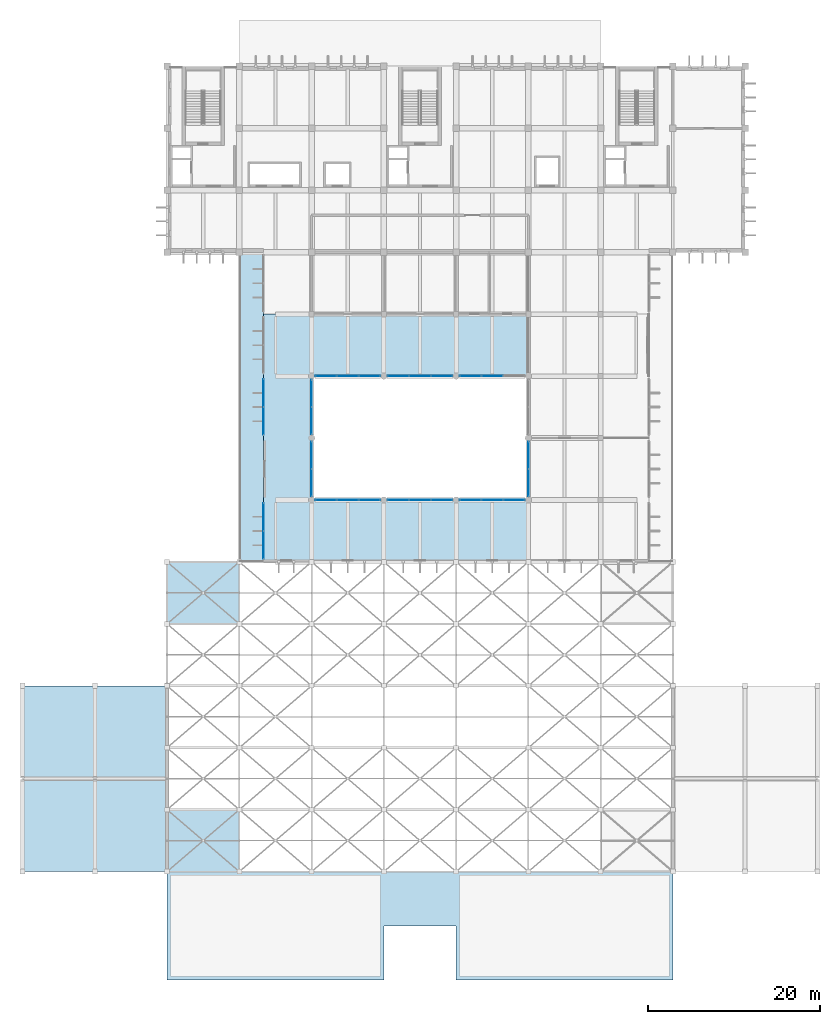
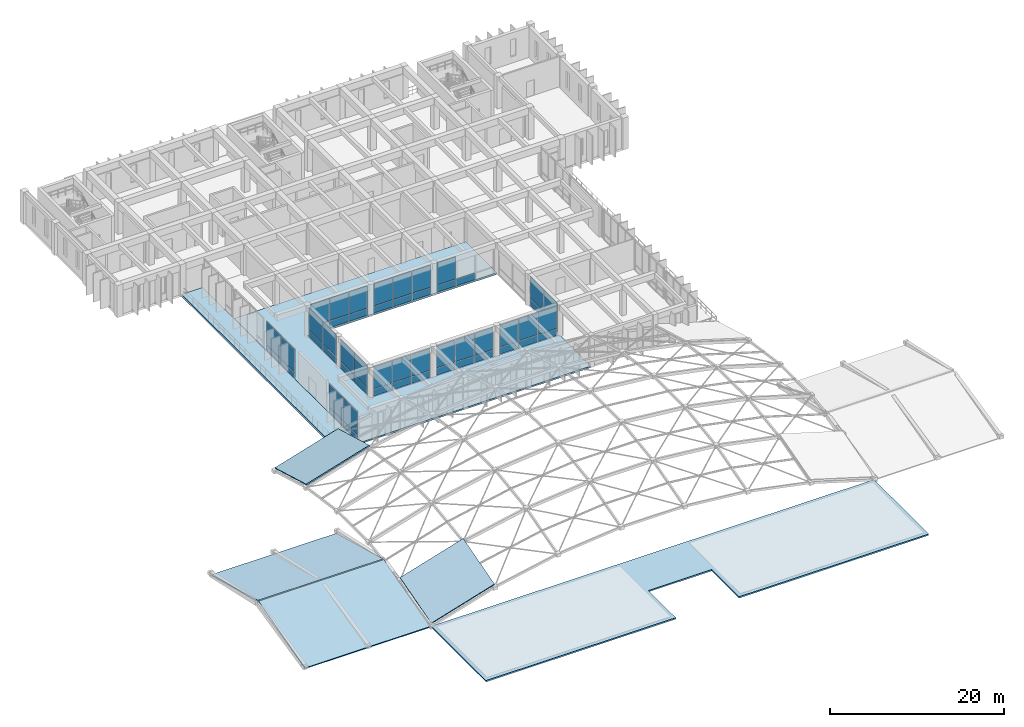
# One storey, part 13 of 23: 53 plates, 7 slabs, 11 elements without a shape of their own.
"""IFC4 building model written with IfcOpenShell, lengths in metres."""

from ifc_helpers import new_model, si_unit, direction, frame, origin, origin_2d, place, context, subcontext, project, spatial, polyline, rectangle, outline, extrude, material, layer, layer_set, type_object, element, aggregate, save


model = new_model("IFC4")

# Units and contexts
model_context = context("Model", 3, precision=1e-05, world=origin(), true_north=direction((0.0, 1.0)))
body_context = subcontext(model_context, "Body", "Model", "MODEL_VIEW")
ifc_project = project(units=[si_unit("LENGTHUNIT", "METRE"), si_unit("AREAUNIT", "SQUARE_METRE"), si_unit("VOLUMEUNIT", "CUBIC_METRE"), si_unit("PLANEANGLEUNIT", "RADIAN"), si_unit("MASSUNIT", "GRAM", prefix="KILO")], contexts=[model_context])

# Site, building, storey
site_placement = place(None, origin())
site = spatial("IfcSite", under=ifc_project, at=site_placement, CompositionType="ELEMENT")
building_placement = place(site_placement, origin())
building = spatial("IfcBuilding", under=site, at=building_placement, Name="Kenerak Square Central Library", CompositionType="ELEMENT")
storey_placement = place(building_placement, frame((0.0, 0.0, 18.8798828125)))
storey = spatial("IfcBuildingStorey", under=building, at=storey_placement, Name="L04", CompositionType="ELEMENT", Elevation=18.8798828125)

# Curtain wall, plates
ifc_material_1 = material(Name="Intumescent fire-resisting glazing EI 60", Category="glass")
curtain_wall_type_1 = type_object("IfcCurtainWallType", Name="Curtain Wall CW-AT60-76x42 7650x4255", PredefinedType="USERDEFINED", material=ifc_material_1)
curtain_wall_1_placement = place(storey_placement, origin())
curtain_wall_1 = element("IfcCurtainWall", 1, at=curtain_wall_1_placement, inside=storey, type_object=curtain_wall_type_1, Name="Atrium Fire-Rated Glazed Screen CW-AT60-76x42 L04 0177", ObjectType="CURTAIN WALL", PredefinedType="USERDEFINED")
ifc_layer_1 = layer(ifc_material_1, 0.0419921875)
ifc_layer_set_1 = layer_set([ifc_layer_1], Name="Intumescent fire-resisting glazing EI 60")
plate_type_1 = type_object("IfcPlateType", Name="Fire-Rated EI60 Atrium Glazing Panel CP-42", PredefinedType="CURTAIN_PANEL", material=ifc_layer_set_1)
plate_1_placement = place(storey_placement, frame((76.867431640625, 60.0, 0.0703125), z_axis=(0.0, 0.0, 1.0), x_axis=(1.0, 0.0, 0.0)))
plate_1 = element("IfcPlate", 2, at=plate_1_placement, type_object=plate_type_1, Name="CW-AT60-76x42 Panel 1.1", PredefinedType="CURTAIN_PANEL", context=body_context, shape_type="SweptSolid", body=[
    extrude(rectangle(XDim=2.445068359375, YDim=0.0419921875, at=origin_2d()), origin(), (0.0, 0.0, 1.0), 0.945068359375),
])
plate_2_placement = place(storey_placement, frame((76.867431640625, 60.0, 1.0849609375), z_axis=(0.0, 0.0, 1.0), x_axis=(1.0, 0.0, 0.0)))
plate_2 = element("IfcPlate", 3, at=plate_2_placement, type_object=plate_type_1, Name="CW-AT60-76x42 Panel 1.2", PredefinedType="CURTAIN_PANEL", context=body_context, shape_type="SweptSolid", body=[
    extrude(rectangle(XDim=2.445068359375, YDim=0.0419921875, at=origin_2d()), origin(), (0.0, 0.0, 1.0), 3.10009765625),
])
plate_3_placement = place(storey_placement, frame((79.39990234375, 60.0, 0.0703125), z_axis=(0.0, 0.0, 1.0), x_axis=(1.0, 0.0, 0.0)))
plate_3 = element("IfcPlate", 4, at=plate_3_placement, type_object=plate_type_1, Name="CW-AT60-76x42 Panel 2.1", PredefinedType="CURTAIN_PANEL", context=body_context, shape_type="SweptSolid", body=[
    extrude(rectangle(XDim=2.47998046875, YDim=0.0419921875, at=origin_2d()), origin(), (0.0, 0.0, 1.0), 0.945068359375),
])
plate_4_placement = place(storey_placement, frame((79.39990234375, 60.0, 1.0849609375), z_axis=(0.0, 0.0, 1.0), x_axis=(1.0, 0.0, 0.0)))
plate_4 = element("IfcPlate", 5, at=plate_4_placement, type_object=plate_type_1, Name="CW-AT60-76x42 Panel 2.2", PredefinedType="CURTAIN_PANEL", context=body_context, shape_type="SweptSolid", body=[
    extrude(rectangle(XDim=2.47998046875, YDim=0.0419921875, at=origin_2d()), origin(), (0.0, 0.0, 1.0), 3.10009765625),
])
plate_5_placement = place(storey_placement, frame((81.9326171875, 60.0, 0.0703125), z_axis=(0.0, 0.0, 1.0), x_axis=(1.0, 0.0, 0.0)))
plate_5 = element("IfcPlate", 6, at=plate_5_placement, type_object=plate_type_1, Name="CW-AT60-76x42 Panel 3.1", PredefinedType="CURTAIN_PANEL", context=body_context, shape_type="SweptSolid", body=[
    extrude(rectangle(XDim=2.445068359375, YDim=0.0419921875, at=origin_2d()), origin(), (0.0, 0.0, 1.0), 0.945068359375),
])
plate_6_placement = place(storey_placement, frame((81.9326171875, 60.0, 1.0849609375), z_axis=(0.0, 0.0, 1.0), x_axis=(1.0, 0.0, 0.0)))
plate_6 = element("IfcPlate", 7, at=plate_6_placement, type_object=plate_type_1, Name="CW-AT60-76x42 Panel 3.2", PredefinedType="CURTAIN_PANEL", context=body_context, shape_type="SweptSolid", body=[
    extrude(rectangle(XDim=2.445068359375, YDim=0.0419921875, at=origin_2d()), origin(), (0.0, 0.0, 1.0), 3.10009765625),
])
aggregate(curtain_wall_1, [plate_1, plate_2, plate_3, plate_4, plate_5, plate_6])

curtain_wall_2_placement = place(storey_placement, origin())
curtain_wall_2 = element("IfcCurtainWall", 8, at=curtain_wall_2_placement, inside=storey, type_object=curtain_wall_type_1, Name="Atrium Fire-Rated Glazed Screen CW-AT60-76x42 L04 0178", ObjectType="CURTAIN WALL", PredefinedType="USERDEFINED")
plate_7_placement = place(storey_placement, frame((85.267578125, 60.0, 0.0703125), z_axis=(0.0, 0.0, 1.0), x_axis=(1.0, 0.0, 0.0)))
plate_7 = element("IfcPlate", 9, at=plate_7_placement, type_object=plate_type_1, Name="CW-AT60-76x42 Panel 1.1", PredefinedType="CURTAIN_PANEL", context=body_context, shape_type="SweptSolid", body=[
    extrude(rectangle(XDim=2.445068359375, YDim=0.0419921875, at=origin_2d()), origin(), (0.0, 0.0, 1.0), 0.945068359375),
])
plate_8_placement = place(storey_placement, frame((85.267578125, 60.0, 1.0849609375), z_axis=(0.0, 0.0, 1.0), x_axis=(1.0, 0.0, 0.0)))
plate_8 = element("IfcPlate", 10, at=plate_8_placement, type_object=plate_type_1, Name="CW-AT60-76x42 Panel 1.2", PredefinedType="CURTAIN_PANEL", context=body_context, shape_type="SweptSolid", body=[
    extrude(rectangle(XDim=2.445068359375, YDim=0.0419921875, at=origin_2d()), origin(), (0.0, 0.0, 1.0), 3.10009765625),
])
plate_9_placement = place(storey_placement, frame((87.800048828125, 60.0, 0.0703125), z_axis=(0.0, 0.0, 1.0), x_axis=(1.0, 0.0, 0.0)))
plate_9 = element("IfcPlate", 11, at=plate_9_placement, type_object=plate_type_1, Name="CW-AT60-76x42 Panel 2.1", PredefinedType="CURTAIN_PANEL", context=body_context, shape_type="SweptSolid", body=[
    extrude(rectangle(XDim=2.47998046875, YDim=0.0419921875, at=origin_2d()), origin(), (0.0, 0.0, 1.0), 0.945068359375),
])
plate_10_placement = place(storey_placement, frame((87.800048828125, 60.0, 1.0849609375), z_axis=(0.0, 0.0, 1.0), x_axis=(1.0, 0.0, 0.0)))
plate_10 = element("IfcPlate", 12, at=plate_10_placement, type_object=plate_type_1, Name="CW-AT60-76x42 Panel 2.2", PredefinedType="CURTAIN_PANEL", context=body_context, shape_type="SweptSolid", body=[
    extrude(rectangle(XDim=2.47998046875, YDim=0.0419921875, at=origin_2d()), origin(), (0.0, 0.0, 1.0), 3.10009765625),
])
plate_11_placement = place(storey_placement, frame((90.33251953125, 60.0, 0.0703125), z_axis=(0.0, 0.0, 1.0), x_axis=(1.0, 0.0, 0.0)))
plate_11 = element("IfcPlate", 13, at=plate_11_placement, type_object=plate_type_1, Name="CW-AT60-76x42 Panel 3.1", PredefinedType="CURTAIN_PANEL", context=body_context, shape_type="SweptSolid", body=[
    extrude(rectangle(XDim=2.445068359375, YDim=0.0419921875, at=origin_2d()), origin(), (0.0, 0.0, 1.0), 0.945068359375),
])
plate_12_placement = place(storey_placement, frame((90.33251953125, 60.0, 1.0849609375), z_axis=(0.0, 0.0, 1.0), x_axis=(1.0, 0.0, 0.0)))
plate_12 = element("IfcPlate", 14, at=plate_12_placement, type_object=plate_type_1, Name="CW-AT60-76x42 Panel 3.2", PredefinedType="CURTAIN_PANEL", context=body_context, shape_type="SweptSolid", body=[
    extrude(rectangle(XDim=2.445068359375, YDim=0.0419921875, at=origin_2d()), origin(), (0.0, 0.0, 1.0), 3.10009765625),
])
aggregate(curtain_wall_2, [plate_7, plate_8, plate_9, plate_10, plate_11, plate_12])

curtain_wall_3_placement = place(storey_placement, origin())
curtain_wall_3 = element("IfcCurtainWall", 15, at=curtain_wall_3_placement, inside=storey, type_object=curtain_wall_type_1, Name="Atrium Fire-Rated Glazed Screen CW-AT60-76x42 L04 0179", ObjectType="CURTAIN WALL", PredefinedType="USERDEFINED")
plate_13_placement = place(storey_placement, frame((93.66748046875, 60.0, 0.0703125), z_axis=(0.0, 0.0, 1.0), x_axis=(1.0, 0.0, 0.0)))
plate_13 = element("IfcPlate", 16, at=plate_13_placement, type_object=plate_type_1, Name="CW-AT60-76x42 Panel 1.1", PredefinedType="CURTAIN_PANEL", context=body_context, shape_type="SweptSolid", body=[
    extrude(rectangle(XDim=2.445068359375, YDim=0.0419921875, at=origin_2d()), origin(), (0.0, 0.0, 1.0), 0.945068359375),
])
plate_14_placement = place(storey_placement, frame((93.66748046875, 60.0, 1.0849609375), z_axis=(0.0, 0.0, 1.0), x_axis=(1.0, 0.0, 0.0)))
plate_14 = element("IfcPlate", 17, at=plate_14_placement, type_object=plate_type_1, Name="CW-AT60-76x42 Panel 1.2", PredefinedType="CURTAIN_PANEL", context=body_context, shape_type="SweptSolid", body=[
    extrude(rectangle(XDim=2.445068359375, YDim=0.0419921875, at=origin_2d()), origin(), (0.0, 0.0, 1.0), 3.10009765625),
])
plate_15_placement = place(storey_placement, frame((96.199951171875, 60.0, 0.0703125), z_axis=(0.0, 0.0, 1.0), x_axis=(1.0, 0.0, 0.0)))
plate_15 = element("IfcPlate", 18, at=plate_15_placement, type_object=plate_type_1, Name="CW-AT60-76x42 Panel 2.1", PredefinedType="CURTAIN_PANEL", context=body_context, shape_type="SweptSolid", body=[
    extrude(rectangle(XDim=2.47998046875, YDim=0.0419921875, at=origin_2d()), origin(), (0.0, 0.0, 1.0), 0.945068359375),
])
plate_16_placement = place(storey_placement, frame((96.199951171875, 60.0, 1.0849609375), z_axis=(0.0, 0.0, 1.0), x_axis=(1.0, 0.0, 0.0)))
plate_16 = element("IfcPlate", 19, at=plate_16_placement, type_object=plate_type_1, Name="CW-AT60-76x42 Panel 2.2", PredefinedType="CURTAIN_PANEL", context=body_context, shape_type="SweptSolid", body=[
    extrude(rectangle(XDim=2.47998046875, YDim=0.0419921875, at=origin_2d()), origin(), (0.0, 0.0, 1.0), 3.10009765625),
])
plate_17_placement = place(storey_placement, frame((98.732421875, 60.0, 0.0703125), z_axis=(0.0, 0.0, 1.0), x_axis=(1.0, 0.0, 0.0)))
plate_17 = element("IfcPlate", 20, at=plate_17_placement, type_object=plate_type_1, Name="CW-AT60-76x42 Panel 3.1", PredefinedType="CURTAIN_PANEL", context=body_context, shape_type="SweptSolid", body=[
    extrude(rectangle(XDim=2.445068359375, YDim=0.0419921875, at=origin_2d()), origin(), (0.0, 0.0, 1.0), 0.945068359375),
])
plate_18_placement = place(storey_placement, frame((98.732421875, 60.0, 1.0849609375), z_axis=(0.0, 0.0, 1.0), x_axis=(1.0, 0.0, 0.0)))
plate_18 = element("IfcPlate", 21, at=plate_18_placement, type_object=plate_type_1, Name="CW-AT60-76x42 Panel 3.2", PredefinedType="CURTAIN_PANEL", context=body_context, shape_type="SweptSolid", body=[
    extrude(rectangle(XDim=2.445068359375, YDim=0.0419921875, at=origin_2d()), origin(), (0.0, 0.0, 1.0), 3.10009765625),
])
aggregate(curtain_wall_3, [plate_13, plate_14, plate_15, plate_16, plate_17, plate_18])

curtain_wall_type_2 = type_object("IfcCurtainWallType", Name="Curtain Wall CW-AT60-64x42 6450x4255", PredefinedType="USERDEFINED", material=ifc_material_1)
curtain_wall_4_placement = place(storey_placement, origin())
curtain_wall_4 = element("IfcCurtainWall", 22, at=curtain_wall_4_placement, inside=storey, type_object=curtain_wall_type_2, Name="Atrium Fire-Rated Glazed Screen CW-AT60-64x42 L04 0180", ObjectType="CURTAIN WALL", PredefinedType="USERDEFINED")
plate_19_placement = place(storey_placement, frame((100.39990234375, 62.0048828125, 0.0703125), z_axis=(0.0, 0.0, 1.0), x_axis=(0.0, 1.0, 0.0)))
plate_19 = element("IfcPlate", 23, at=plate_19_placement, type_object=plate_type_1, Name="CW-AT60-64x42 Panel 1.1", PredefinedType="CURTAIN_PANEL", context=body_context, shape_type="SweptSolid", body=[
    extrude(rectangle(XDim=3.1201171875, YDim=0.0419921875, at=origin_2d()), origin(), (0.0, 0.0, 1.0), 0.945068359375),
])
plate_20_placement = place(storey_placement, frame((100.39990234375, 62.0048828125, 1.0849609375), z_axis=(0.0, 0.0, 1.0), x_axis=(0.0, 1.0, 0.0)))
plate_20 = element("IfcPlate", 24, at=plate_20_placement, type_object=plate_type_1, Name="CW-AT60-64x42 Panel 1.2", PredefinedType="CURTAIN_PANEL", context=body_context, shape_type="SweptSolid", body=[
    extrude(rectangle(XDim=3.1201171875, YDim=0.0419921875, at=origin_2d()), origin(), (0.0, 0.0, 1.0), 3.10009765625),
])
plate_21_placement = place(storey_placement, frame((100.39990234375, 65.195068359375, 0.0703125), z_axis=(0.0, 0.0, 1.0), x_axis=(0.0, 1.0, 0.0)))
plate_21 = element("IfcPlate", 25, at=plate_21_placement, type_object=plate_type_1, Name="CW-AT60-64x42 Panel 2.1", PredefinedType="CURTAIN_PANEL", context=body_context, shape_type="SweptSolid", body=[
    extrude(rectangle(XDim=3.1201171875, YDim=0.0419921875, at=origin_2d()), origin(), (0.0, 0.0, 1.0), 0.945068359375),
])
plate_22_placement = place(storey_placement, frame((100.39990234375, 65.195068359375, 1.0849609375), z_axis=(0.0, 0.0, 1.0), x_axis=(0.0, 1.0, 0.0)))
plate_22 = element("IfcPlate", 26, at=plate_22_placement, type_object=plate_type_1, Name="CW-AT60-64x42 Panel 2.2", PredefinedType="CURTAIN_PANEL", context=body_context, shape_type="SweptSolid", body=[
    extrude(rectangle(XDim=3.1201171875, YDim=0.0419921875, at=origin_2d()), origin(), (0.0, 0.0, 1.0), 3.10009765625),
])
aggregate(curtain_wall_4, [plate_19, plate_20, plate_21, plate_22])

curtain_wall_5_placement = place(storey_placement, origin())
curtain_wall_5 = element("IfcCurtainWall", 27, at=curtain_wall_5_placement, inside=storey, type_object=curtain_wall_type_1, Name="Atrium Fire-Rated Glazed Screen CW-AT60-76x42 L04 0182", ObjectType="CURTAIN WALL", PredefinedType="USERDEFINED")
plate_23_placement = place(storey_placement, frame((96.199951171875, 74.39990234375, 0.0703125), z_axis=(0.0, 0.0, 1.0), x_axis=(-1.0, 0.0, 0.0)))
plate_23 = element("IfcPlate", 28, at=plate_23_placement, type_object=plate_type_1, Name="CW-AT60-76x42 Panel 2.1", PredefinedType="CURTAIN_PANEL", context=body_context, shape_type="SweptSolid", body=[
    extrude(rectangle(XDim=2.47998046875, YDim=0.0419921875, at=origin_2d()), origin(), (0.0, 0.0, 1.0), 0.945068359375),
])
plate_24_placement = place(storey_placement, frame((93.66748046875, 74.39990234375, 0.0703125), z_axis=(0.0, 0.0, 1.0), x_axis=(-1.0, 0.0, 0.0)))
plate_24 = element("IfcPlate", 29, at=plate_24_placement, type_object=plate_type_1, Name="CW-AT60-76x42 Panel 3.1", PredefinedType="CURTAIN_PANEL", context=body_context, shape_type="SweptSolid", body=[
    extrude(rectangle(XDim=2.445068359375, YDim=0.0419921875, at=origin_2d()), origin(), (0.0, 0.0, 1.0), 0.945068359375),
])
plate_25_placement = place(storey_placement, frame((93.66748046875, 74.39990234375, 1.0849609375), z_axis=(0.0, 0.0, 1.0), x_axis=(-1.0, 0.0, 0.0)))
plate_25 = element("IfcPlate", 30, at=plate_25_placement, type_object=plate_type_1, Name="CW-AT60-76x42 Panel 3.2", PredefinedType="CURTAIN_PANEL", context=body_context, shape_type="SweptSolid", body=[
    extrude(rectangle(XDim=2.445068359375, YDim=0.0419921875, at=origin_2d()), origin(), (0.0, 0.0, 1.0), 3.10009765625),
])
aggregate(curtain_wall_5, [plate_23, plate_24, plate_25])

curtain_wall_6_placement = place(storey_placement, origin())
curtain_wall_6 = element("IfcCurtainWall", 31, at=curtain_wall_6_placement, inside=storey, type_object=curtain_wall_type_1, Name="Atrium Fire-Rated Glazed Screen CW-AT60-76x42 L04 0183", ObjectType="CURTAIN WALL", PredefinedType="USERDEFINED")
plate_26_placement = place(storey_placement, frame((90.33251953125, 74.39990234375, 0.0703125), z_axis=(0.0, 0.0, 1.0), x_axis=(-1.0, 0.0, 0.0)))
plate_26 = element("IfcPlate", 32, at=plate_26_placement, type_object=plate_type_1, Name="CW-AT60-76x42 Panel 1.1", PredefinedType="CURTAIN_PANEL", context=body_context, shape_type="SweptSolid", body=[
    extrude(rectangle(XDim=2.445068359375, YDim=0.0419921875, at=origin_2d()), origin(), (0.0, 0.0, 1.0), 0.945068359375),
])
plate_27_placement = place(storey_placement, frame((90.33251953125, 74.39990234375, 1.0849609375), z_axis=(0.0, 0.0, 1.0), x_axis=(-1.0, 0.0, 0.0)))
plate_27 = element("IfcPlate", 33, at=plate_27_placement, type_object=plate_type_1, Name="CW-AT60-76x42 Panel 1.2", PredefinedType="CURTAIN_PANEL", context=body_context, shape_type="SweptSolid", body=[
    extrude(rectangle(XDim=2.445068359375, YDim=0.0419921875, at=origin_2d()), origin(), (0.0, 0.0, 1.0), 3.10009765625),
])
plate_28_placement = place(storey_placement, frame((87.800048828125, 74.39990234375, 0.0703125), z_axis=(0.0, 0.0, 1.0), x_axis=(-1.0, 0.0, 0.0)))
plate_28 = element("IfcPlate", 34, at=plate_28_placement, type_object=plate_type_1, Name="CW-AT60-76x42 Panel 2.1", PredefinedType="CURTAIN_PANEL", context=body_context, shape_type="SweptSolid", body=[
    extrude(rectangle(XDim=2.47998046875, YDim=0.0419921875, at=origin_2d()), origin(), (0.0, 0.0, 1.0), 0.945068359375),
])
plate_29_placement = place(storey_placement, frame((87.800048828125, 74.39990234375, 1.0849609375), z_axis=(0.0, 0.0, 1.0), x_axis=(-1.0, 0.0, 0.0)))
plate_29 = element("IfcPlate", 35, at=plate_29_placement, type_object=plate_type_1, Name="CW-AT60-76x42 Panel 2.2", PredefinedType="CURTAIN_PANEL", context=body_context, shape_type="SweptSolid", body=[
    extrude(rectangle(XDim=2.47998046875, YDim=0.0419921875, at=origin_2d()), origin(), (0.0, 0.0, 1.0), 3.10009765625),
])
plate_30_placement = place(storey_placement, frame((85.267578125, 74.39990234375, 0.0703125), z_axis=(0.0, 0.0, 1.0), x_axis=(-1.0, 0.0, 0.0)))
plate_30 = element("IfcPlate", 36, at=plate_30_placement, type_object=plate_type_1, Name="CW-AT60-76x42 Panel 3.1", PredefinedType="CURTAIN_PANEL", context=body_context, shape_type="SweptSolid", body=[
    extrude(rectangle(XDim=2.445068359375, YDim=0.0419921875, at=origin_2d()), origin(), (0.0, 0.0, 1.0), 0.945068359375),
])
plate_31_placement = place(storey_placement, frame((85.267578125, 74.39990234375, 1.0849609375), z_axis=(0.0, 0.0, 1.0), x_axis=(-1.0, 0.0, 0.0)))
plate_31 = element("IfcPlate", 37, at=plate_31_placement, type_object=plate_type_1, Name="CW-AT60-76x42 Panel 3.2", PredefinedType="CURTAIN_PANEL", context=body_context, shape_type="SweptSolid", body=[
    extrude(rectangle(XDim=2.445068359375, YDim=0.0419921875, at=origin_2d()), origin(), (0.0, 0.0, 1.0), 3.10009765625),
])
aggregate(curtain_wall_6, [plate_26, plate_27, plate_28, plate_29, plate_30, plate_31])

curtain_wall_7_placement = place(storey_placement, origin())
curtain_wall_7 = element("IfcCurtainWall", 38, at=curtain_wall_7_placement, inside=storey, type_object=curtain_wall_type_1, Name="Atrium Fire-Rated Glazed Screen CW-AT60-76x42 L04 0184", ObjectType="CURTAIN WALL", PredefinedType="USERDEFINED")
plate_32_placement = place(storey_placement, frame((81.9326171875, 74.39990234375, 0.0703125), z_axis=(0.0, 0.0, 1.0), x_axis=(-1.0, 0.0, 0.0)))
plate_32 = element("IfcPlate", 39, at=plate_32_placement, type_object=plate_type_1, Name="CW-AT60-76x42 Panel 1.1", PredefinedType="CURTAIN_PANEL", context=body_context, shape_type="SweptSolid", body=[
    extrude(rectangle(XDim=2.445068359375, YDim=0.0419921875, at=origin_2d()), origin(), (0.0, 0.0, 1.0), 0.945068359375),
])
plate_33_placement = place(storey_placement, frame((81.9326171875, 74.39990234375, 1.0849609375), z_axis=(0.0, 0.0, 1.0), x_axis=(-1.0, 0.0, 0.0)))
plate_33 = element("IfcPlate", 40, at=plate_33_placement, type_object=plate_type_1, Name="CW-AT60-76x42 Panel 1.2", PredefinedType="CURTAIN_PANEL", context=body_context, shape_type="SweptSolid", body=[
    extrude(rectangle(XDim=2.445068359375, YDim=0.0419921875, at=origin_2d()), origin(), (0.0, 0.0, 1.0), 3.10009765625),
])
plate_34_placement = place(storey_placement, frame((79.39990234375, 74.39990234375, 0.0703125), z_axis=(0.0, 0.0, 1.0), x_axis=(-1.0, 0.0, 0.0)))
plate_34 = element("IfcPlate", 41, at=plate_34_placement, type_object=plate_type_1, Name="CW-AT60-76x42 Panel 2.1", PredefinedType="CURTAIN_PANEL", context=body_context, shape_type="SweptSolid", body=[
    extrude(rectangle(XDim=2.47998046875, YDim=0.0419921875, at=origin_2d()), origin(), (0.0, 0.0, 1.0), 0.945068359375),
])
plate_35_placement = place(storey_placement, frame((79.39990234375, 74.39990234375, 1.0849609375), z_axis=(0.0, 0.0, 1.0), x_axis=(-1.0, 0.0, 0.0)))
plate_35 = element("IfcPlate", 42, at=plate_35_placement, type_object=plate_type_1, Name="CW-AT60-76x42 Panel 2.2", PredefinedType="CURTAIN_PANEL", context=body_context, shape_type="SweptSolid", body=[
    extrude(rectangle(XDim=2.47998046875, YDim=0.0419921875, at=origin_2d()), origin(), (0.0, 0.0, 1.0), 3.10009765625),
])
plate_36_placement = place(storey_placement, frame((76.867431640625, 74.39990234375, 0.0703125), z_axis=(0.0, 0.0, 1.0), x_axis=(-1.0, 0.0, 0.0)))
plate_36 = element("IfcPlate", 43, at=plate_36_placement, type_object=plate_type_1, Name="CW-AT60-76x42 Panel 3.1", PredefinedType="CURTAIN_PANEL", context=body_context, shape_type="SweptSolid", body=[
    extrude(rectangle(XDim=2.445068359375, YDim=0.0419921875, at=origin_2d()), origin(), (0.0, 0.0, 1.0), 0.945068359375),
])
plate_37_placement = place(storey_placement, frame((76.867431640625, 74.39990234375, 1.0849609375), z_axis=(0.0, 0.0, 1.0), x_axis=(-1.0, 0.0, 0.0)))
plate_37 = element("IfcPlate", 44, at=plate_37_placement, type_object=plate_type_1, Name="CW-AT60-76x42 Panel 3.2", PredefinedType="CURTAIN_PANEL", context=body_context, shape_type="SweptSolid", body=[
    extrude(rectangle(XDim=2.445068359375, YDim=0.0419921875, at=origin_2d()), origin(), (0.0, 0.0, 1.0), 3.10009765625),
])
aggregate(curtain_wall_7, [plate_32, plate_33, plate_34, plate_35, plate_36, plate_37])

curtain_wall_8_placement = place(storey_placement, origin())
curtain_wall_8 = element("IfcCurtainWall", 45, at=curtain_wall_8_placement, inside=storey, type_object=curtain_wall_type_2, Name="Atrium Fire-Rated Glazed Screen CW-AT60-64x42 L04 0185", ObjectType="CURTAIN WALL", PredefinedType="USERDEFINED")
plate_38_placement = place(storey_placement, frame((75.199951171875, 72.39501953125, 0.0703125), z_axis=(0.0, 0.0, 1.0), x_axis=(0.0, -1.0, 0.0)))
plate_38 = element("IfcPlate", 46, at=plate_38_placement, type_object=plate_type_1, Name="CW-AT60-64x42 Panel 1.1", PredefinedType="CURTAIN_PANEL", context=body_context, shape_type="SweptSolid", body=[
    extrude(rectangle(XDim=3.1201171875, YDim=0.0419921875, at=origin_2d()), origin(), (0.0, 0.0, 1.0), 0.945068359375),
])
plate_39_placement = place(storey_placement, frame((75.199951171875, 72.39501953125, 1.0849609375), z_axis=(0.0, 0.0, 1.0), x_axis=(0.0, -1.0, 0.0)))
plate_39 = element("IfcPlate", 47, at=plate_39_placement, type_object=plate_type_1, Name="CW-AT60-64x42 Panel 1.2", PredefinedType="CURTAIN_PANEL", context=body_context, shape_type="SweptSolid", body=[
    extrude(rectangle(XDim=3.1201171875, YDim=0.0419921875, at=origin_2d()), origin(), (0.0, 0.0, 1.0), 3.10009765625),
])
plate_40_placement = place(storey_placement, frame((75.199951171875, 69.205078125, 0.0703125), z_axis=(0.0, 0.0, 1.0), x_axis=(0.0, -1.0, 0.0)))
plate_40 = element("IfcPlate", 48, at=plate_40_placement, type_object=plate_type_1, Name="CW-AT60-64x42 Panel 2.1", PredefinedType="CURTAIN_PANEL", context=body_context, shape_type="SweptSolid", body=[
    extrude(rectangle(XDim=3.1201171875, YDim=0.0419921875, at=origin_2d()), origin(), (0.0, 0.0, 1.0), 0.945068359375),
])
plate_41_placement = place(storey_placement, frame((75.199951171875, 69.205078125, 1.0849609375), z_axis=(0.0, 0.0, 1.0), x_axis=(0.0, -1.0, 0.0)))
plate_41 = element("IfcPlate", 49, at=plate_41_placement, type_object=plate_type_1, Name="CW-AT60-64x42 Panel 2.2", PredefinedType="CURTAIN_PANEL", context=body_context, shape_type="SweptSolid", body=[
    extrude(rectangle(XDim=3.1201171875, YDim=0.0419921875, at=origin_2d()), origin(), (0.0, 0.0, 1.0), 3.10009765625),
])
aggregate(curtain_wall_8, [plate_38, plate_39, plate_40, plate_41])

curtain_wall_9_placement = place(storey_placement, origin())
curtain_wall_9 = element("IfcCurtainWall", 50, at=curtain_wall_9_placement, inside=storey, type_object=curtain_wall_type_2, Name="Atrium Fire-Rated Glazed Screen CW-AT60-64x42 L04 0186", ObjectType="CURTAIN WALL", PredefinedType="USERDEFINED")
plate_42_placement = place(storey_placement, frame((75.199951171875, 65.195068359375, 0.0703125), z_axis=(0.0, 0.0, 1.0), x_axis=(0.0, -1.0, 0.0)))
plate_42 = element("IfcPlate", 51, at=plate_42_placement, type_object=plate_type_1, Name="CW-AT60-64x42 Panel 1.1", PredefinedType="CURTAIN_PANEL", context=body_context, shape_type="SweptSolid", body=[
    extrude(rectangle(XDim=3.1201171875, YDim=0.0419921875, at=origin_2d()), origin(), (0.0, 0.0, 1.0), 0.945068359375),
])
plate_43_placement = place(storey_placement, frame((75.199951171875, 65.195068359375, 1.0849609375), z_axis=(0.0, 0.0, 1.0), x_axis=(0.0, -1.0, 0.0)))
plate_43 = element("IfcPlate", 52, at=plate_43_placement, type_object=plate_type_1, Name="CW-AT60-64x42 Panel 1.2", PredefinedType="CURTAIN_PANEL", context=body_context, shape_type="SweptSolid", body=[
    extrude(rectangle(XDim=3.1201171875, YDim=0.0419921875, at=origin_2d()), origin(), (0.0, 0.0, 1.0), 3.10009765625),
])
plate_44_placement = place(storey_placement, frame((75.199951171875, 62.0048828125, 0.0703125), z_axis=(0.0, 0.0, 1.0), x_axis=(0.0, -1.0, 0.0)))
plate_44 = element("IfcPlate", 53, at=plate_44_placement, type_object=plate_type_1, Name="CW-AT60-64x42 Panel 2.1", PredefinedType="CURTAIN_PANEL", context=body_context, shape_type="SweptSolid", body=[
    extrude(rectangle(XDim=3.1201171875, YDim=0.0419921875, at=origin_2d()), origin(), (0.0, 0.0, 1.0), 0.945068359375),
])
plate_45_placement = place(storey_placement, frame((75.199951171875, 62.0048828125, 1.0849609375), z_axis=(0.0, 0.0, 1.0), x_axis=(0.0, -1.0, 0.0)))
plate_45 = element("IfcPlate", 54, at=plate_45_placement, type_object=plate_type_1, Name="CW-AT60-64x42 Panel 2.2", PredefinedType="CURTAIN_PANEL", context=body_context, shape_type="SweptSolid", body=[
    extrude(rectangle(XDim=3.1201171875, YDim=0.0419921875, at=origin_2d()), origin(), (0.0, 0.0, 1.0), 3.10009765625),
])
aggregate(curtain_wall_9, [plate_42, plate_43, plate_44, plate_45])

# Slabs
ifc_material_2 = material(Name="Concrete C40/50", Category="concrete")
ifc_layer_2 = layer(ifc_material_2, 0.22509765625)
ifc_layer_set_2 = layer_set([ifc_layer_2], Name="Concrete C40/50")
slab_type_1 = type_object("IfcSlabType", Name="General Reading Room Slab FS-225 C40/50", PredefinedType="FLOOR", material=ifc_layer_set_2)
slab_1_placement = place(storey_placement, frame((0.0, 0.0, -0.224853515625)))
element("IfcSlab", 55, at=slab_1_placement, inside=storey, type_object=slab_type_1, Name="V4 Floor Slab L04 052", PredefinedType="FLOOR", context=body_context, shape_type="SweptSolid", body=[
    extrude(outline(polyline([(100.39990234375, 52.800048828125), (69.60009765625, 52.800048828125), (69.60009765625, 81.60009765625), (100.39990234375, 81.60009765625), (100.39990234375, 74.39990234375), (75.199951171875, 74.39990234375), (75.199951171875, 60.0), (100.39990234375, 60.0), (100.39990234375, 52.800048828125)])), origin(), (0.0, 0.0, 1.0), 0.224853515625),
])
ifc_material_3 = material(Name="Steel S355", Category="steel")
ifc_layer_3 = layer(ifc_material_3, 0.159912109375)
ifc_layer_set_3 = layer_set([ifc_layer_3], Name="Steel S355")
slab_type_2 = type_object("IfcSlabType", Name="Gridshell Insulated Planar Roof Panel RS-160 S355", PredefinedType="ROOF", material=ifc_layer_set_3)
slab_2_placement = place(storey_placement, frame((58.39990234375, 16.800048828125, 0.420166015625), z_axis=(-0.279976525548, -0.262648450808, 0.923379085983), x_axis=(0.956977288654, -3.372728e-06, 0.290162831854)))
element("IfcSlab", 56, at=slab_2_placement, inside=storey, type_object=slab_type_2, Name="Gridshell Roof Panel 1-1", PredefinedType="ROOF", context=body_context, shape_type="SweptSolid", body=[
    extrude(outline(polyline([(0.0, 0.0), (8.777757869289715, -1.1102230246251565e-16), (9.37201483493825, 7.461960300927386), (0.5941861251134134, 7.461898936291983), (0.0, 0.0)])), origin(), (0.0, 0.0, -1.0), 0.159912109375),
])
slab_3_placement = place(storey_placement, frame((58.39990234375, 45.60009765625, 2.468017578125), z_axis=(-0.279976525548, 0.262648450808, 0.923379085983), x_axis=(0.956976755872, -3.372701e-06, 0.290164588998)))
element("IfcSlab", 57, at=slab_3_placement, inside=storey, type_object=slab_type_2, Name="Gridshell Roof Panel 1-5", PredefinedType="ROOF", context=body_context, shape_type="SweptSolid", body=[
    extrude(outline(polyline([(0.0, 0.0), (8.777828710039332, -1.1102230246251565e-16), (8.183519578831305, 7.461956146373475), (-0.5942382902439153, 7.46189478223331), (0.0, 0.0)])), origin(), (0.0, 0.0, -1.0), 0.159912109375),
])
ifc_layer_4 = layer(ifc_material_2, 0.199951171875)
ifc_layer_set_4 = layer_set([ifc_layer_4], Name="Concrete C40/50")
slab_type_3 = type_object("IfcSlabType", Name="Heavyweight Stack Flat Roof Slab RS-200 C40/50", PredefinedType="ROOF", material=ifc_layer_set_4)
slab_4_placement = place(storey_placement, frame((0.0, 0.0, -0.199951171875)))
element("IfcSlab", 58, at=slab_4_placement, inside=storey, type_object=slab_type_3, Name="South Overhang Roof Slab L04", PredefinedType="ROOF", context=body_context, shape_type="SweptSolid", body=[
    extrude(outline(polyline([(58.39990234375, 4.199951171875), (58.39990234375, 16.800048828125), (117.199951171875, 16.800048828125), (117.199951171875, 4.199951171875), (92.0, 4.199951171875), (92.0, 10.5), (83.60009765625, 10.5), (83.60009765625, 4.199951171875), (58.39990234375, 4.199951171875)])), origin(), (0.0, 0.0, 1.0), 0.199951171875),
])

# Curtain wall, plates
ifc_material_4 = material(Name="Anodised aluminium and solar-control low-E glazing", Category="aluminium")
curtain_wall_type_3 = type_object("IfcCurtainWallType", Name="Curtain Wall CW-V4-66x42 6600x4255", PredefinedType="USERDEFINED", material=ifc_material_4)
curtain_wall_10_placement = place(storey_placement, origin())
curtain_wall_10 = element("IfcCurtainWall", 59, at=curtain_wall_10_placement, inside=storey, type_object=curtain_wall_type_3, Name="Curtain Wall CW-V4-66x42 L04 0143", ObjectType="CURTAIN WALL", PredefinedType="USERDEFINED")
ifc_material_5 = material(Name="Solar-control low-E laminated double glazing", Category="glass")
ifc_layer_5 = layer(ifc_material_5, 0.02392578125)
ifc_layer_set_5 = layer_set([ifc_layer_5], Name="Solar-control low-E laminated double glazing")
plate_type_2 = type_object("IfcPlateType", Name="Low-E Double Glazed Curtain Panel CP-24", PredefinedType="CURTAIN_PANEL", material=ifc_layer_set_5)
plate_46_placement = place(storey_placement, frame((69.60009765625, 54.766357421875, 0.06494140625), z_axis=(0.0, 0.0, 1.0), x_axis=(0.0, 1.0, 0.0)))
plate_46 = element("IfcPlate", 60, at=plate_46_placement, type_object=plate_type_2, Name="CW-V4-66x42 Panel 1.1", PredefinedType="CURTAIN_PANEL", context=body_context, shape_type="SweptSolid", body=[
    extrude(rectangle(XDim=3.202392578125, YDim=0.02392578125, at=origin_2d()), origin(), (0.0, 0.0, 1.0), 0.802490234375),
])
plate_47_placement = place(storey_placement, frame((69.60009765625, 54.766357421875, 0.9326171875), z_axis=(0.0, 0.0, 1.0), x_axis=(0.0, 1.0, 0.0)))
plate_47 = element("IfcPlate", 61, at=plate_47_placement, type_object=plate_type_2, Name="CW-V4-66x42 Panel 1.2", PredefinedType="CURTAIN_PANEL", context=body_context, shape_type="SweptSolid", body=[
    extrude(rectangle(XDim=3.202392578125, YDim=0.02392578125, at=origin_2d()), origin(), (0.0, 0.0, 1.0), 3.257568359375),
])
plate_48_placement = place(storey_placement, frame((69.60009765625, 58.03369140625, 0.06494140625), z_axis=(0.0, 0.0, 1.0), x_axis=(0.0, 1.0, 0.0)))
plate_48 = element("IfcPlate", 62, at=plate_48_placement, type_object=plate_type_2, Name="CW-V4-66x42 Panel 2.1", PredefinedType="CURTAIN_PANEL", context=body_context, shape_type="SweptSolid", body=[
    extrude(rectangle(XDim=3.202392578125, YDim=0.02392578125, at=origin_2d()), origin(), (0.0, 0.0, 1.0), 0.802490234375),
])
plate_49_placement = place(storey_placement, frame((69.60009765625, 58.03369140625, 0.9326171875), z_axis=(0.0, 0.0, 1.0), x_axis=(0.0, 1.0, 0.0)))
plate_49 = element("IfcPlate", 63, at=plate_49_placement, type_object=plate_type_2, Name="CW-V4-66x42 Panel 2.2", PredefinedType="CURTAIN_PANEL", context=body_context, shape_type="SweptSolid", body=[
    extrude(rectangle(XDim=3.202392578125, YDim=0.02392578125, at=origin_2d()), origin(), (0.0, 0.0, 1.0), 3.257568359375),
])
aggregate(curtain_wall_10, [plate_46, plate_47, plate_48, plate_49])

curtain_wall_11_placement = place(storey_placement, origin())
curtain_wall_11 = element("IfcCurtainWall", 64, at=curtain_wall_11_placement, inside=storey, type_object=curtain_wall_type_3, Name="Curtain Wall CW-V4-66x42 L04 0144", ObjectType="CURTAIN WALL", PredefinedType="USERDEFINED")
plate_50_placement = place(storey_placement, frame((69.60009765625, 69.166259765625, 0.06494140625), z_axis=(0.0, 0.0, 1.0), x_axis=(0.0, 1.0, 0.0)))
plate_50 = element("IfcPlate", 65, at=plate_50_placement, type_object=plate_type_2, Name="CW-V4-66x42 Panel 1.1", PredefinedType="CURTAIN_PANEL", context=body_context, shape_type="SweptSolid", body=[
    extrude(rectangle(XDim=3.202392578125, YDim=0.02392578125, at=origin_2d()), origin(), (0.0, 0.0, 1.0), 0.802490234375),
])
plate_51_placement = place(storey_placement, frame((69.60009765625, 69.166259765625, 0.9326171875), z_axis=(0.0, 0.0, 1.0), x_axis=(0.0, 1.0, 0.0)))
plate_51 = element("IfcPlate", 66, at=plate_51_placement, type_object=plate_type_2, Name="CW-V4-66x42 Panel 1.2", PredefinedType="CURTAIN_PANEL", context=body_context, shape_type="SweptSolid", body=[
    extrude(rectangle(XDim=3.202392578125, YDim=0.02392578125, at=origin_2d()), origin(), (0.0, 0.0, 1.0), 3.257568359375),
])
plate_52_placement = place(storey_placement, frame((69.60009765625, 72.433837890625, 0.06494140625), z_axis=(0.0, 0.0, 1.0), x_axis=(0.0, 1.0, 0.0)))
plate_52 = element("IfcPlate", 67, at=plate_52_placement, type_object=plate_type_2, Name="CW-V4-66x42 Panel 2.1", PredefinedType="CURTAIN_PANEL", context=body_context, shape_type="SweptSolid", body=[
    extrude(rectangle(XDim=3.202392578125, YDim=0.02392578125, at=origin_2d()), origin(), (0.0, 0.0, 1.0), 0.802490234375),
])
plate_53_placement = place(storey_placement, frame((69.60009765625, 72.433837890625, 0.9326171875), z_axis=(0.0, 0.0, 1.0), x_axis=(0.0, 1.0, 0.0)))
plate_53 = element("IfcPlate", 68, at=plate_53_placement, type_object=plate_type_2, Name="CW-V4-66x42 Panel 2.2", PredefinedType="CURTAIN_PANEL", context=body_context, shape_type="SweptSolid", body=[
    extrude(rectangle(XDim=3.202392578125, YDim=0.02392578125, at=origin_2d()), origin(), (0.0, 0.0, 1.0), 3.257568359375),
])
aggregate(curtain_wall_11, [plate_50, plate_51, plate_52, plate_53])

# Slabs
ifc_material_6 = material(Name="Precast concrete C40/50", Category="concrete")
ifc_layer_6 = layer(ifc_material_6, 0.179931640625)
ifc_layer_set_6 = layer_set([ifc_layer_6], Name="Precast concrete C40/50")
slab_type_4 = type_object("IfcSlabType", Name="Pitched Standing-Seam Acoustic Roof Deck RS-180 C40/50", PredefinedType="ROOF", material=ifc_layer_set_6)
for number, where, z_axis, x_axis, name in (
    (69, (41.639892578125, 16.800048828125, 0.0), (0.0, -0.261148776659, 0.965298563373), (1.0, 0.0, 0.0), "Tropical Overhang Roof V6W-MAIN South"),
    (70, (41.639892578125, 27.679931640625, 2.900146484375), (0.0, 0.261148776659, 0.965298563373), (1.0, 0.0, 0.0), "Tropical Overhang Roof V6W-MAIN North"),
):
    element("IfcSlab", number, at=place(storey_placement, frame(where, z_axis=z_axis, x_axis=x_axis)), inside=storey, type_object=slab_type_4, Name=name, PredefinedType="ROOF", context=body_context, shape_type="SweptSolid", body=[
        extrude(outline(polyline([(0.0, 0.0), (16.64013671875, 0.0), (16.64013671875, 11.105342025651032), (0.0, 11.105342025651032), (0.0, 0.0)])), origin(), (0.0, 0.0, -1.0), 0.179931640625),
    ])
ifc_layer_7 = layer(ifc_material_2, 0.324951171875)
ifc_layer_set_7 = layer_set([ifc_layer_7], Name="Concrete C40/50")
slab_type_5 = type_object("IfcSlabType", Name="Planted Reading Terrace Slab TS-325 C40/50", PredefinedType="FLOOR", material=ifc_layer_set_7)
slab_5_placement = place(storey_placement, frame((0.0, 0.0, -0.324951171875)))
element("IfcSlab", 71, at=slab_5_placement, inside=storey, type_object=slab_type_5, Name="West Court Reading Terrace L04", PredefinedType="FLOOR", context=body_context, shape_type="SweptSolid", body=[
    extrude(outline(polyline([(66.800048828125, 52.800048828125), (69.60009765625, 52.800048828125), (69.60009765625, 88.800048828125), (66.800048828125, 88.800048828125), (66.800048828125, 52.800048828125)])), origin(), (0.0, 0.0, 1.0), 0.324951171875),
])

save(model, "model.ifc")
